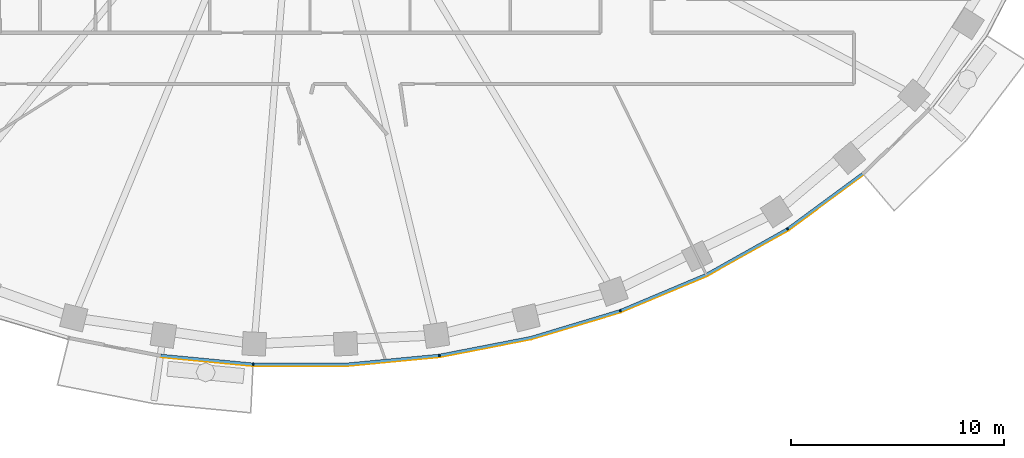
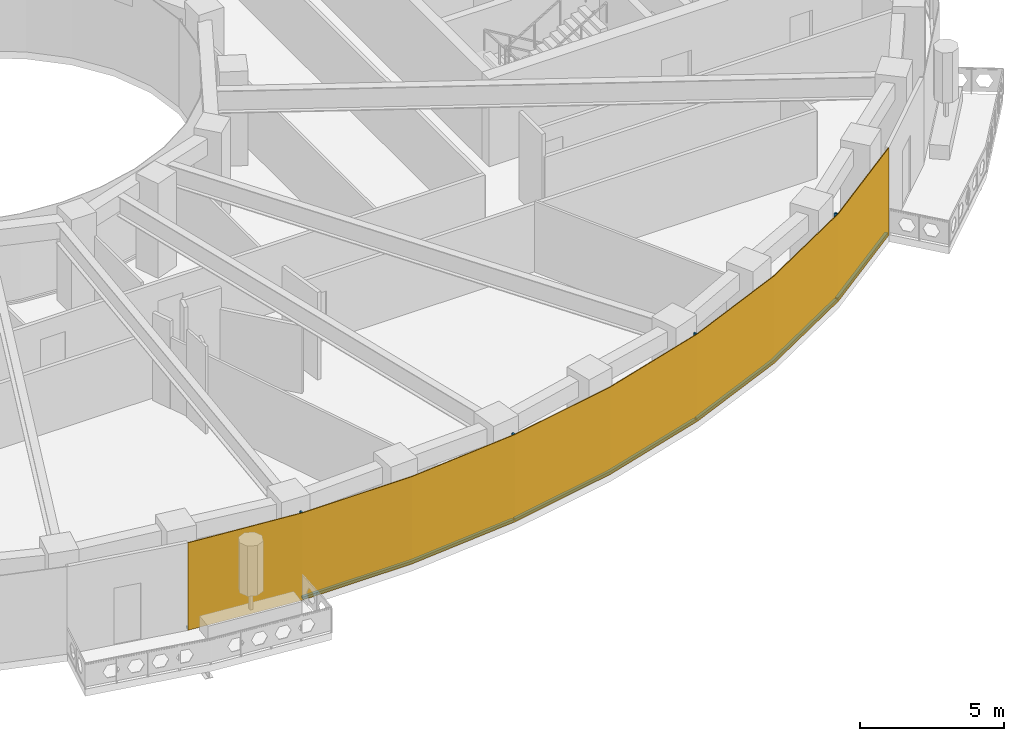
# One storey, part 9 of 16: 9 members, 1 curtain wall.
"""IFC4 building model written with IfcOpenShell, lengths in metres."""

from ifc_helpers import new_model, si_unit, direction, frame, origin, origin_2d, place, context, subcontext, project, spatial, polyline, rectangle, outline, extrude, material, layer, layer_set, material_profile, profile_set, type_object, element, aggregate, save


model = new_model("IFC4")

# Units and contexts
model_context = context("Model", 3, precision=1e-05, world=origin(), true_north=direction((0.0, 1.0)))
body_context = subcontext(model_context, "Body", "Model", "MODEL_VIEW")
ifc_project = project(units=[si_unit("LENGTHUNIT", "METRE"), si_unit("AREAUNIT", "SQUARE_METRE"), si_unit("VOLUMEUNIT", "CUBIC_METRE"), si_unit("PLANEANGLEUNIT", "RADIAN"), si_unit("MASSUNIT", "GRAM", prefix="KILO")], contexts=[model_context])

# Member
ifc_material_1 = material(Name="Aluminium 6063-T6 black anodised", Category="aluminium")
ifc_material_profile = material_profile(ifc_material_1, rectangle(XDim=0.1201171875, YDim=0.06005859375, at=origin_2d()), Name="120x60")
ifc_profile_set = profile_set([ifc_material_profile], Name="Aluminium 6063-T6 black anodised")
member_type_1 = type_object("IfcMemberType", Name="ENV-MULLION-A-120", PredefinedType="MULLION", material=ifc_profile_set)
site_placement = place(None, origin())
building_placement = place(site_placement, origin())
storey_placement = place(building_placement, frame((0.0, 0.0, 249.5)))
member_1_placement = place(storey_placement, frame((-2.188720703125, -27.856201171875, 0.0), z_axis=(0.0, 0.0, 1.0), x_axis=(0.047557873581, 0.998868484166, 0.0)))
member_1 = element("IfcMember", 1, at=member_1_placement, type_object=member_type_1, Name="Mullion A radial 35", PredefinedType="MULLION", context=body_context, shape_type="SweptSolid", body=[
    extrude(rectangle(XDim=0.1201171875, YDim=0.06005859375, at=origin_2d()), origin(), (0.0, 0.0, 1.0), 3.699951171875),
])

member_2_placement = place(storey_placement, frame((6.54638671875, -27.440185546875, 0.0), z_axis=(0.0, 0.0, 1.0), x_axis=(-0.143082012705, 0.989710835366, 0.0)))
member_2 = element("IfcMember", 2, at=member_2_placement, type_object=member_type_1, Name="Mullion A radial 37", PredefinedType="MULLION", context=body_context, shape_type="SweptSolid", body=[
    extrude(rectangle(XDim=0.1201171875, YDim=0.06005859375, at=origin_2d()), origin(), (0.0, 0.0, 1.0), 3.699951171875),
])

member_3_placement = place(storey_placement, frame((15.0341796875, -25.34375, 0.0), z_axis=(0.0, 0.0, 1.0), x_axis=(-0.338379256581, 0.941009818608, 0.0)))
member_3 = element("IfcMember", 3, at=member_3_placement, type_object=member_type_1, Name="Mullion A radial 39", PredefinedType="MULLION", context=body_context, shape_type="SweptSolid", body=[
    extrude(rectangle(XDim=0.1201171875, YDim=0.06005859375, at=origin_2d()), origin(), (0.0, 0.0, 1.0), 3.699951171875),
])

member_4_placement = place(storey_placement, frame((22.882568359375, -21.506591796875, 0.0), z_axis=(0.0, 0.0, 1.0), x_axis=(-0.542279153225, 0.840198381323, 0.0)))
member_4 = element("IfcMember", 4, at=member_4_placement, type_object=member_type_1, Name="Mullion A radial 41", PredefinedType="MULLION", context=body_context, shape_type="SweptSolid", body=[
    extrude(rectangle(XDim=0.1201171875, YDim=0.06005859375, at=origin_2d()), origin(), (0.0, 0.0, 1.0), 3.699951171875),
])

ifc_material_2 = material(Name="Aluminium 6063-T6 black anodised", Category="aluminium")
member_type_2 = type_object("IfcMemberType", Name="ENV-TRANSOM-A", PredefinedType="USERDEFINED", material=ifc_material_2)
member_5_placement = place(storey_placement, origin())
member_5 = element("IfcMember", 5, at=member_5_placement, type_object=member_type_2, Name="Transom A radial 34-35", ObjectType="TRANSOM", PredefinedType="USERDEFINED", context=body_context, shape_type="SweptSolid", body=[
    extrude(outline(polyline([(-6.53515625, -27.50146484375), (-2.219482421875, -27.913330078125), (-2.2138671875, -27.793212890625), (-6.51806640625, -27.382568359375), (-6.53515625, -27.50146484375)])), origin(), (0.0, 0.0, 1.0), 0.10009765625),
])

member_6_placement = place(storey_placement, origin())
member_6 = element("IfcMember", 6, at=member_6_placement, type_object=member_type_2, Name="Transom A radial 35-37", ObjectType="TRANSOM", PredefinedType="USERDEFINED", context=body_context, shape_type="SweptSolid", body=[
    extrude(outline(polyline([(-2.163818359375, -27.916015625), (2.191650390625, -27.916015625), (6.527099609375, -27.502197265625), (6.510009765625, -27.38330078125), (2.185791015625, -27.7958984375), (-2.157958984375, -27.7958984375), (-2.163818359375, -27.916015625)])), origin(), (0.0, 0.0, 1.0), 0.10009765625),
])

member_7_placement = place(storey_placement, origin())
member_7 = element("IfcMember", 7, at=member_7_placement, type_object=member_type_2, Name="Transom A radial 37-39", ObjectType="TRANSOM", PredefinedType="USERDEFINED", context=body_context, shape_type="SweptSolid", body=[
    extrude(outline(polyline([(6.58251953125, -27.494140625), (10.857666015625, -26.6630859375), (15.027587890625, -25.408203125), (14.987060546875, -25.295166015625), (10.828857421875, -26.54638671875), (6.5654296875, -27.375244140625), (6.58251953125, -27.494140625)])), origin(), (0.0, 0.0, 1.0), 0.10009765625),
])

member_8_placement = place(storey_placement, origin())
member_8 = element("IfcMember", 8, at=member_8_placement, type_object=member_type_2, Name="Transom A radial 39-41", ObjectType="TRANSOM", PredefinedType="USERDEFINED", context=body_context, shape_type="SweptSolid", body=[
    extrude(outline(polyline([(15.080322265625, -25.389404296875), (19.093994140625, -23.701416015625), (22.890625, -21.570556640625), (22.825439453125, -21.469482421875), (19.041259765625, -23.593505859375), (15.03955078125, -25.276123046875), (15.080322265625, -25.389404296875)])), origin(), (0.0, 0.0, 1.0), 0.10009765625),
])

member_9_placement = place(storey_placement, origin())
member_9 = element("IfcMember", 9, at=member_9_placement, type_object=member_type_2, Name="Transom A radial 41-42", ObjectType="TRANSOM", PredefinedType="USERDEFINED", context=body_context, shape_type="SweptSolid", body=[
    extrude(outline(polyline([(22.937744140625, -21.540283203125), (26.42626953125, -18.970703125), (26.348388671875, -18.87890625), (22.87255859375, -21.439208984375), (22.937744140625, -21.540283203125)])), origin(), (0.0, 0.0, 1.0), 0.10009765625),
])

# Site, building, storey
site = spatial("IfcSite", under=ifc_project, at=site_placement, CompositionType="ELEMENT")
building = spatial("IfcBuilding", under=site, at=building_placement, Name="Noorbagh Ring Tower", CompositionType="ELEMENT")
storey = spatial("IfcBuildingStorey", under=building, at=storey_placement, Name="L52", CompositionType="ELEMENT", Elevation=249.5)

# Curtain wall
ifc_material_3 = material(Name="Glass dark tinted laminated", Category="glass")
ifc_layer = layer(ifc_material_3, 0.031982421875)
ifc_layer_set = layer_set([ifc_layer], Name="Glass dark tinted laminated")
curtain_wall_type = type_object("IfcCurtainWallType", Name="ENV-CW-A", PredefinedType="NOTDEFINED", material=ifc_layer_set)
curtain_wall_placement = place(storey_placement, origin())
curtain_wall = element("IfcCurtainWall", 10, at=curtain_wall_placement, inside=storey, type_object=curtain_wall_type, Name="Curtain wall A R34", PredefinedType="NOTDEFINED", context=body_context, shape_type="SweptSolid", body=[
    extrude(outline(polyline([(-6.539794921875, -27.533203125), (-2.193115234375, -27.947998046875), (2.193115234375, -27.947998046875), (6.559814453125, -27.53125), (10.865234375, -26.6943359375), (15.065185546875, -25.430419921875), (19.108154296875, -23.730224609375), (22.9326171875, -21.583740234375), (26.447021484375, -18.9951171875), (26.42626953125, -18.970703125), (22.9150390625, -21.556884765625), (19.093994140625, -23.701416015625), (15.054443359375, -25.400146484375), (10.857666015625, -26.6630859375), (6.55517578125, -27.49951171875), (2.191650390625, -27.916015625), (-2.191650390625, -27.916015625), (-6.53515625, -27.50146484375), (-6.539794921875, -27.533203125)])), origin(), (0.0, 0.0, 1.0), 3.699951171875),
])

aggregate(curtain_wall, [member_1, member_2, member_3, member_4, member_5, member_6, member_7, member_8, member_9])

save(model, "model.ifc")
